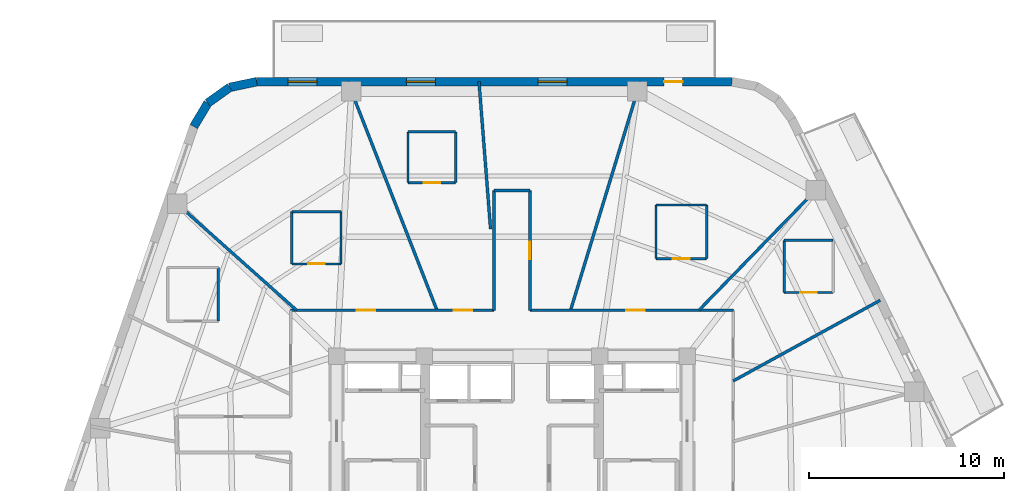
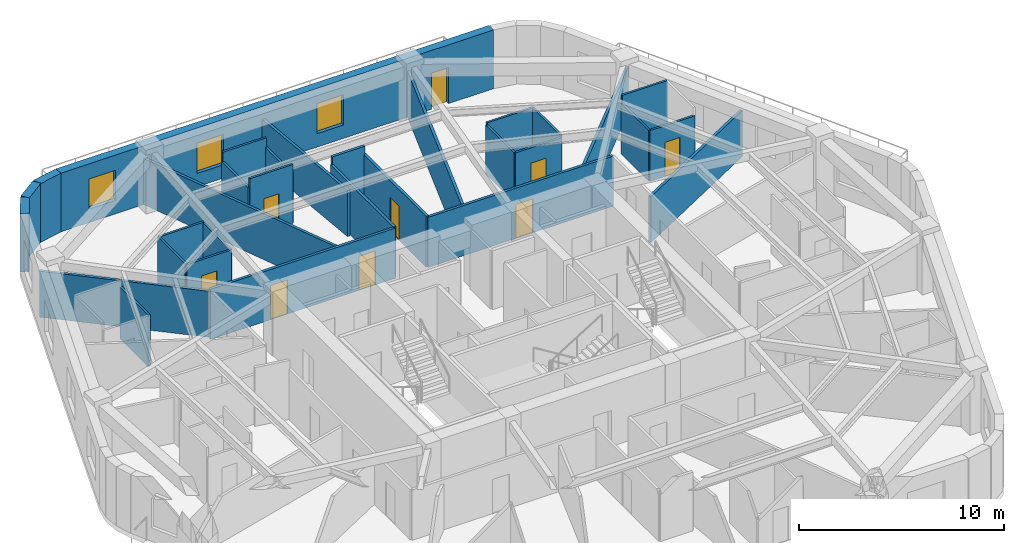
# One storey, part 6 of 10: 31 walls, 9 doors, 3 windows, 12 openings.
"""IFC4 building model written with IfcOpenShell, lengths in metres."""

import ifcopenshell
import ifcopenshell.guid

model = None  # the IFC model being written
_history = None  # IfcOwnerHistory: only IFC2X3 demands one
_inside = {}  # id of a spatial element -> (the spatial element, [elements in it])
_under = {}  # id of a project, library or spatial element -> (it, [spatial elements below it])
_declared = {}  # id of a project -> (the project, [libraries it declares])
_typed = {}  # id of a type object -> (the type object, [elements of that type])
_made_of = {}  # id of a material, layer set ... -> (it, [elements and type objects made of it])


def new_model(schema):
    """Start an empty IFC model of exactly this schema.

    Asked for "IFC4X3", IfcOpenShell would pick the latest addendum, in which some entities
    have other attributes; the version numbers below select the first issue.
    IFC2X3 requires an IfcOwnerHistory on every rooted entity: one is made here for all.
    """
    global model, _history
    if schema == "IFC4X3":
        model = ifcopenshell.file(schema_version=(4, 3, 0, 0))
    else:
        model = ifcopenshell.file(schema=schema)
    _inside.clear()
    _under.clear()
    _declared.clear()
    _typed.clear()
    _made_of.clear()
    _history = None
    if model.schema == "IFC2X3":
        org = make("IfcOrganization", Name="unknown")
        user = make(
            "IfcPersonAndOrganization",
            ThePerson=make("IfcPerson", FamilyName="unknown"),
            TheOrganization=org,
        )
        app = make(
            "IfcApplication",
            ApplicationDeveloper=org,
            Version="unknown",
            ApplicationFullName="unknown",
            ApplicationIdentifier="unknown",
        )
        _history = make(
            "IfcOwnerHistory",
            OwningUser=user,
            OwningApplication=app,
            ChangeAction="ADDED",
            CreationDate=0,
        )
    return model


def make(cls, **values):
    """One entity of the class cls with the attributes given. An attribute that is None is left unset."""
    return model.create_entity(
        cls, **{name: value for name, value in values.items() if value is not None}
    )


def rooted(cls, **values):
    """An entity with a GlobalId (a new one), such as an element, a storey or a relation."""
    return make(cls, GlobalId=ifcopenshell.guid.new(), OwnerHistory=_history, **values)


def si_unit(unit_type, name, prefix=None):
    """IfcSIUnit, for example si_unit("LENGTHUNIT", "METRE", prefix="MILLI")."""
    return make("IfcSIUnit", UnitType=unit_type, Prefix=prefix, Name=name)


def assignment(units):
    """IfcUnitAssignment: the units of a project."""
    return None if units is None else make("IfcUnitAssignment", Units=units)


def point(xyz):
    """IfcCartesianPoint."""
    return None if xyz is None else make("IfcCartesianPoint", Coordinates=xyz)


def direction(xyz):
    """IfcDirection."""
    return None if xyz is None else make("IfcDirection", DirectionRatios=xyz)


def frame(location, z_axis=None, x_axis=None):
    """IfcAxis2Placement3D, a coordinate frame: its origin and axes. An axis left out is left unset."""
    return make(
        "IfcAxis2Placement3D",
        Location=point(location),
        Axis=direction(z_axis),
        RefDirection=direction(x_axis),
    )


def frame_2d(location, x_axis=None):
    """IfcAxis2Placement2D, a coordinate frame in the plane: its origin and x axis."""
    return make(
        "IfcAxis2Placement2D", Location=point(location), RefDirection=direction(x_axis)
    )


def origin():
    """The frame at (0, 0, 0) with its axes left unset."""
    return frame((0.0, 0.0, 0.0))


def place(relative_to, where):
    """IfcLocalPlacement: puts the frame where relative to a parent placement (None: the world)."""
    return make(
        "IfcLocalPlacement", PlacementRelTo=relative_to, RelativePlacement=where
    )


def context(
    kind, dimensions, precision=None, world=None, true_north=None, identifier=None
):
    """IfcGeometricRepresentationContext, for example the 3D "Model" context."""
    return make(
        "IfcGeometricRepresentationContext",
        ContextIdentifier=identifier,
        ContextType=kind,
        CoordinateSpaceDimension=dimensions,
        Precision=precision,
        WorldCoordinateSystem=world,
        TrueNorth=true_north,
    )


def subcontext(parent, identifier, kind, view, scale=None):
    """IfcGeometricRepresentationSubContext, for example "Body" below "Model"."""
    return make(
        "IfcGeometricRepresentationSubContext",
        ContextIdentifier=identifier,
        ContextType=kind,
        ParentContext=parent,
        TargetScale=scale,
        TargetView=view,
    )


def project(units=None, contexts=None):
    """IfcProject with its units and contexts."""
    return rooted(
        "IfcProject",
        Name="project",
        RepresentationContexts=contexts,
        UnitsInContext=assignment(units),
    )


def spatial(cls, under=None, at=None, **own):
    """A site, building, storey or space (cls), placed at a placement, below another one or the project."""
    s = rooted(cls, ObjectPlacement=at, **own)
    if under is not None:
        _under.setdefault(under.id(), (under, []))[1].append(s)
    return s


def profile(cls, at=None, kind="AREA", **sizes):
    """A parametric profile (cls). Its sizes go by their IFC names, for example OverallWidth=200.0."""
    return make(cls, ProfileType=kind, Position=at, **sizes)


def rectangle(**sizes):
    """IfcRectangleProfileDef."""
    return profile("IfcRectangleProfileDef", **sizes)


def extrude(swept, where, along, depth):
    """IfcExtrudedAreaSolid: the profile swept, set in the frame where, extruded along a direction by depth."""
    return make(
        "IfcExtrudedAreaSolid",
        SweptArea=swept,
        Position=where,
        ExtrudedDirection=direction(along),
        Depth=depth,
    )


def shape(context_of_items, identifier, shape_type, items):
    """IfcShapeRepresentation: the items that make up one representation, for example the "Body"."""
    return make(
        "IfcShapeRepresentation",
        ContextOfItems=context_of_items,
        RepresentationIdentifier=identifier,
        RepresentationType=shape_type,
        Items=items,
    )


def material(Name=None, Category=None):
    """IfcMaterial."""
    return make("IfcMaterial", Name=Name, Category=Category)


def layer(
    of_material, thickness, ventilated=None, Name=None, Category=None, Priority=None
):
    """IfcMaterialLayer: one layer of a wall or slab, of a material (None: an air gap)."""
    return make(
        "IfcMaterialLayer",
        Material=of_material,
        LayerThickness=thickness,
        IsVentilated=ventilated,
        Name=Name,
        Category=Category,
        Priority=Priority,
    )


def layer_set(layers, Name=None):
    """IfcMaterialLayerSet."""
    return make("IfcMaterialLayerSet", MaterialLayers=layers, LayerSetName=Name)


def made_of(thing, what):
    """Note that an element or type object is made of a material, layer set ...; save() writes the relation."""
    if what is not None:
        _made_of.setdefault(what.id(), (what, []))[1].append(thing)
    return thing


def type_object(cls, material=None, **own):
    """A type object (cls), such as IfcWallType, which elements share."""
    return made_of(rooted(cls, **own), material)


def element(
    cls,
    number,
    at=None,
    inside=None,
    cuts=None,
    type_object=None,
    material=None,
    context=None,
    identifier="Body",
    shape_type=None,
    held_by="IfcProductDefinitionShape",
    body=None,
    shapes=None,
    **own,
):
    """One element of the class cls, such as IfcWall. Its Tag is "e" and its number.

    at: its placement. inside: the storey or other place that contains it. cuts: it is an
    opening in that element (IfcRelVoidsElement). A single representation is given by context,
    identifier, shape_type and body (its items); several are given by shapes. held_by: the class
    of the entity that holds the representations. save() writes the other relations.
    """
    e = rooted(cls, Tag="e%d" % number, ObjectPlacement=at, **own)
    if body is not None:
        shapes = [shape(context, identifier, shape_type, body)]
    if shapes is not None:
        e.Representation = make(held_by, Representations=shapes)
    if inside is not None:
        _inside.setdefault(inside.id(), (inside, []))[1].append(e)
    if cuts is not None:
        rooted(
            "IfcRelVoidsElement", RelatingBuildingElement=cuts, RelatedOpeningElement=e
        )
    if type_object is not None:
        _typed.setdefault(type_object.id(), (type_object, []))[1].append(e)
    return made_of(e, material)


def fill(opening, filler):
    """IfcRelFillsElement: the door or window that sits in an opening."""
    return rooted(
        "IfcRelFillsElement",
        RelatingOpeningElement=opening,
        RelatedBuildingElement=filler,
    )


def aggregate(whole, parts):
    """IfcRelAggregates: a whole, such as a stair, and the parts it consists of."""
    return rooted("IfcRelAggregates", RelatingObject=whole, RelatedObjects=parts)


def save(model, path):
    """Write the relations noted so far, then the file.

    IfcRelAggregates (storeys below a building ...), IfcRelContainedInSpatialStructure (elements
    in a storey), IfcRelDefinesByType, IfcRelAssociatesMaterial and IfcRelDeclares: one each for
    every whole, place, type object, material and project.
    """
    for whole, parts in _under.values():
        aggregate(whole, parts)
    for where, things in _inside.values():
        rooted(
            "IfcRelContainedInSpatialStructure",
            RelatedElements=things,
            RelatingStructure=where,
        )
    for kind, things in _typed.values():
        rooted("IfcRelDefinesByType", RelatedObjects=things, RelatingType=kind)
    for what, things in _made_of.values():
        rooted("IfcRelAssociatesMaterial", RelatedObjects=things, RelatingMaterial=what)
    for by, libraries in _declared.values():
        rooted("IfcRelDeclares", RelatingContext=by, RelatedDefinitions=libraries)
    model.write(path)


model = new_model("IFC4")

# Units and contexts
model_context = context("Model", 3, precision=1e-05, world=origin(), true_north=direction((0.0, 1.0)))
body_context = subcontext(model_context, "Body", "Model", "MODEL_VIEW")
ifc_project = project(units=[si_unit("LENGTHUNIT", "METRE"), si_unit("AREAUNIT", "SQUARE_METRE"), si_unit("VOLUMEUNIT", "CUBIC_METRE"), si_unit("PLANEANGLEUNIT", "RADIAN"), si_unit("MASSUNIT", "GRAM", prefix="KILO")], contexts=[model_context])

# Site, building, storey
site_placement = place(None, origin())
site = spatial("IfcSite", under=ifc_project, at=site_placement, CompositionType="ELEMENT")
building_placement = place(site_placement, origin())
building = spatial("IfcBuilding", under=site, at=building_placement, Name="Kilnhurst Terrace Hotel", CompositionType="ELEMENT")
storey_placement = place(building_placement, frame((0.0, 0.0, 248.300048828125)))
storey = spatial("IfcBuildingStorey", under=building, at=storey_placement, Name="L62", CompositionType="ELEMENT", Elevation=248.300048828125)

# Walls
ifc_material_1 = material(Name="Precast concrete C40/50", Category="concrete")
ifc_layer_1 = layer(ifc_material_1, 0.449951171875, Name="Precast concrete C40/50")
ifc_layer_set_1 = layer_set([ifc_layer_1], Name="Precast concrete C40/50")
wall_type_1 = type_object("IfcWallType", Name="WL-BRK-450", PredefinedType="SOLIDWALL", material=ifc_layer_set_1)
wall_1_placement = place(storey_placement, frame((-13.1015625, 21.574951171875, 0.0), z_axis=(0.0, 0.0, 1.0), x_axis=(-0.978757421505, -0.205021730188, 0.0)))
element("IfcWall", 1, at=wall_1_placement, inside=storey, type_object=wall_type_1, Name="L62 Rounded Corner Brick Wall C5.1", PredefinedType="SOLIDWALL", context=body_context, shape_type="SweptSolid", body=[
    extrude(rectangle(XDim=1.40625, YDim=0.449951171875, at=frame_2d((0.703125, 0.0))), origin(), (0.0, 0.0, 1.0), 3.5),
])
wall_2_placement = place(storey_placement, frame((-14.47802734375, 21.28662109375, 0.0), z_axis=(0.0, 0.0, 1.0), x_axis=(-0.813888518617, -0.58102106611, 0.0)))
element("IfcWall", 2, at=wall_2_placement, inside=storey, type_object=wall_type_1, Name="L62 Rounded Corner Brick Wall C5.2", PredefinedType="SOLIDWALL", context=body_context, shape_type="SweptSolid", body=[
    extrude(rectangle(XDim=1.3828125, YDim=0.449951171875, at=frame_2d((0.69140625, 0.0))), origin(), (0.0, 0.0, 1.0), 3.5),
])
wall_3_placement = place(storey_placement, frame((-15.603515625, 20.483154296875, 0.0), z_axis=(0.0, 0.0, 1.0), x_axis=(-0.512222149036, -0.858852996756, 0.0)))
element("IfcWall", 3, at=wall_3_placement, inside=storey, type_object=wall_type_1, Name="L62 Rounded Corner Brick Wall C5.3", PredefinedType="SOLIDWALL", context=body_context, shape_type="SweptSolid", body=[
    extrude(rectangle(XDim=1.406494140625, YDim=0.449951171875, at=frame_2d((0.703125, 0.0))), origin(), (0.0, 0.0, 1.0), 3.5),
])

# Wall, openings, door, windows
wall_4_placement = place(storey_placement, frame((11.297607421875, 21.574951171875, 0.0), z_axis=(0.0, 0.0, 1.0), x_axis=(-1.0, 0.0, 0.0)))
wall_4 = element("IfcWall", 4, at=wall_4_placement, inside=storey, type_object=wall_type_1, Name="L62 Exterior Brick Facade Wall F4", PredefinedType="SOLIDWALL", context=body_context, shape_type="SweptSolid", body=[
    extrude(rectangle(XDim=24.399169921875, YDim=0.449951171875, at=frame_2d((12.19970703125, 0.0))), origin(), (0.0, 0.0, 1.0), 3.5),
])
opening_1_placement = place(wall_4_placement, frame((2.550048828125, 0.0, 0.0)))
opening_1 = element("IfcOpeningElement", 5, at=opening_1_placement, cuts=wall_4, Name="Opening BD-950", PredefinedType="OPENING", context=body_context, shape_type="SweptSolid", body=[
    extrude(rectangle(XDim=0.949951171875, YDim=2.14990234375, at=frame_2d((0.47509765625, 1.074951171875))), frame((0.0, 0.23486328125, 0.0), z_axis=(0.0, -1.0, 0.0), x_axis=(1.0, 0.0, 0.0)), (0.0, 0.0, 1.0), 0.469970703125),
])
opening_2_placement = place(wall_4_placement, frame((8.468994140625, 0.0, 0.800048828125)))
opening_2 = element("IfcOpeningElement", 6, at=opening_2_placement, cuts=wall_4, Name="Opening W-02", PredefinedType="OPENING", context=body_context, shape_type="SweptSolid", body=[
    extrude(rectangle(XDim=1.5, YDim=1.800048828125, at=frame_2d((0.75, 0.89990234375))), frame((0.0, 0.23486328125, 0.0), z_axis=(0.0, -1.0, 0.0), x_axis=(1.0, 0.0, 0.0)), (0.0, 0.0, 1.0), 0.469970703125),
])
opening_3_placement = place(wall_4_placement, frame((15.221923828125, 0.0, 0.800048828125)))
opening_3 = element("IfcOpeningElement", 7, at=opening_3_placement, cuts=wall_4, Name="Opening W-02", PredefinedType="OPENING", context=body_context, shape_type="SweptSolid", body=[
    extrude(rectangle(XDim=1.5, YDim=1.800048828125, at=frame_2d((0.75, 0.89990234375))), frame((0.0, 0.23486328125, 0.0), z_axis=(0.0, -1.0, 0.0), x_axis=(1.0, 0.0, 0.0)), (0.0, 0.0, 1.0), 0.469970703125),
])
opening_4_placement = place(wall_4_placement, frame((21.2958984375, 0.0, 0.800048828125)))
opening_4 = element("IfcOpeningElement", 8, at=opening_4_placement, cuts=wall_4, Name="Opening W-02", PredefinedType="OPENING", context=body_context, shape_type="SweptSolid", body=[
    extrude(rectangle(XDim=1.5, YDim=1.800048828125, at=frame_2d((0.75, 0.89990234375))), frame((0.0, 0.23486328125, 0.0), z_axis=(0.0, -1.0, 0.0), x_axis=(1.0, 0.0, 0.0)), (0.0, 0.0, 1.0), 0.469970703125),
])
ifc_material_2 = material(Name="Thermally Broken Bronze Aluminium Alloy 6063-T6 and Laminated Glass", Category="aluminium")
door_type_1 = type_object("IfcDoorType", Name="DR-EXT-BAL-950", OperationType="NOTDEFINED", PredefinedType="DOOR", material=ifc_material_2)
door_1_placement = place(opening_1_placement, origin())
door_1 = element("IfcDoor", 9, at=door_1_placement, inside=storey, type_object=door_type_1, Name="L62 Planted Balcony Door BAL-L1B", OperationType="SINGLE_SWING_RIGHT", OverallHeight=2.14990234375, OverallWidth=0.949951171875, PredefinedType="DOOR", context=body_context, shape_type="SweptSolid", body=[
    extrude(rectangle(XDim=0.949951171875, YDim=2.14990234375, at=frame_2d((0.47509765625, 1.074951171875))), frame((0.0, 0.02490234375, 0.0), z_axis=(0.0, -1.0, 0.0), x_axis=(1.0, 0.0, 0.0)), (0.0, 0.0, 1.0), 0.050048828125),
])
fill(opening_1, door_1)
ifc_material_3 = material(Name="Thermally Broken Bronze Aluminium Alloy 6063-T6 and Low-E Glass", Category="aluminium")
window_type = type_object("IfcWindowType", Name="WIN-1500X1800", PartitioningType="SINGLE_PANEL", PredefinedType="WINDOW", material=ifc_material_3)
window_1_placement = place(opening_2_placement, origin())
window_1 = element("IfcWindow", 10, at=window_1_placement, inside=storey, type_object=window_type, Name="L62 Deep-Set Masonry Window F4.1", OverallHeight=1.800048828125, OverallWidth=1.5, PartitioningType="SINGLE_PANEL", PredefinedType="WINDOW", context=body_context, shape_type="SweptSolid", body=[
    extrude(rectangle(XDim=1.5, YDim=1.800048828125, at=frame_2d((0.75, 0.89990234375))), frame((0.0, 0.030029296875, 0.0), z_axis=(0.0, -1.0, 0.0), x_axis=(1.0, 0.0, 0.0)), (0.0, 0.0, 1.0), 0.06005859375),
])
fill(opening_2, window_1)
window_2_placement = place(opening_3_placement, origin())
window_2 = element("IfcWindow", 11, at=window_2_placement, inside=storey, type_object=window_type, Name="L62 Deep-Set Masonry Window F4.2", OverallHeight=1.800048828125, OverallWidth=1.5, PartitioningType="SINGLE_PANEL", PredefinedType="WINDOW", context=body_context, shape_type="SweptSolid", body=[
    extrude(rectangle(XDim=1.5, YDim=1.800048828125, at=frame_2d((0.75, 0.89990234375))), frame((0.0, 0.030029296875, 0.0), z_axis=(0.0, -1.0, 0.0), x_axis=(1.0, 0.0, 0.0)), (0.0, 0.0, 1.0), 0.06005859375),
])
fill(opening_3, window_2)
window_3_placement = place(opening_4_placement, origin())
window_3 = element("IfcWindow", 12, at=window_3_placement, inside=storey, type_object=window_type, Name="L62 Deep-Set Masonry Window F4.3", OverallHeight=1.800048828125, OverallWidth=1.5, PartitioningType="SINGLE_PANEL", PredefinedType="WINDOW", context=body_context, shape_type="SweptSolid", body=[
    extrude(rectangle(XDim=1.5, YDim=1.800048828125, at=frame_2d((0.75, 0.89990234375))), frame((0.0, 0.030029296875, 0.0), z_axis=(0.0, -1.0, 0.0), x_axis=(1.0, 0.0, 0.0)), (0.0, 0.0, 1.0), 0.06005859375),
])
fill(opening_4, window_3)

# Wall, openings, doors
ifc_material_4 = material(Name="Acoustic Double-Gypsum Corridor Partition Assembly")
ifc_layer_2 = layer(ifc_material_4, 0.14990234375, Name="Acoustic Double-Gypsum Corridor Partition Assembly")
ifc_layer_set_2 = layer_set([ifc_layer_2], Name="Acoustic Double-Gypsum Corridor Partition Assembly")
wall_type_2 = type_object("IfcWallType", Name="WL-COR-150", PredefinedType="PARTITIONING", material=ifc_layer_set_2)
wall_5_placement = place(storey_placement, frame((-11.35009765625, 9.85009765625, 0.0), z_axis=(0.0, 0.0, 1.0), x_axis=(1.0, 0.0, 0.0)))
wall_5 = element("IfcWall", 13, at=wall_5_placement, inside=storey, type_object=wall_type_2, Name="L62 Interior Wall WL-L62-COR-06", PredefinedType="PARTITIONING", context=body_context, shape_type="SweptSolid", body=[
    extrude(rectangle(XDim=10.43017578125, YDim=0.14990234375, at=frame_2d((5.215087890625, 0.0))), origin(), (0.0, 0.0, 1.0), 2.989990234375),
])
opening_5_placement = place(wall_5_placement, frame((8.362060546875, 0.0, 0.0)))
opening_5 = element("IfcOpeningElement", 14, at=opening_5_placement, cuts=wall_5, Name="Opening D-60B", PredefinedType="OPENING", context=body_context, shape_type="SweptSolid", body=[
    extrude(rectangle(XDim=0.949951171875, YDim=2.030029296875, at=frame_2d((0.47509765625, 1.01513671875))), frame((0.0, 0.0849609375, 0.0), z_axis=(0.0, -1.0, 0.0), x_axis=(1.0, 0.0, 0.0)), (0.0, 0.0, 1.0), 0.169921875),
])
opening_6_placement = place(wall_5_placement, frame((3.39599609375, 0.0, 0.0)))
opening_6 = element("IfcOpeningElement", 15, at=opening_6_placement, cuts=wall_5, Name="Opening D-60B", PredefinedType="OPENING", context=body_context, shape_type="SweptSolid", body=[
    extrude(rectangle(XDim=0.949951171875, YDim=2.030029296875, at=frame_2d((0.47509765625, 1.01513671875))), frame((0.0, 0.0849609375, 0.0), z_axis=(0.0, -1.0, 0.0), x_axis=(1.0, 0.0, 0.0)), (0.0, 0.0, 1.0), 0.169921875),
])
ifc_material_5 = material(Name="Acoustic Walnut Veneer Solid-Core Fire Door")
door_type_2 = type_object("IfcDoorType", Name="DR-FD60-950", OperationType="NOTDEFINED", PredefinedType="DOOR", material=ifc_material_5)
door_2_placement = place(opening_5_placement, origin())
door_2 = element("IfcDoor", 16, at=door_2_placement, inside=storey, type_object=door_type_2, Name="L62 Guest Room Entry Door 5", OperationType="SINGLE_SWING_LEFT", OverallHeight=2.030029296875, OverallWidth=0.949951171875, PredefinedType="DOOR", context=body_context, shape_type="SweptSolid", body=[
    extrude(rectangle(XDim=0.949951171875, YDim=2.030029296875, at=frame_2d((0.47509765625, 1.01513671875))), frame((0.0, 0.02490234375, 0.0), z_axis=(0.0, -1.0, 0.0), x_axis=(1.0, 0.0, 0.0)), (0.0, 0.0, 1.0), 0.050048828125),
])
fill(opening_5, door_2)
door_3_placement = place(opening_6_placement, origin())
door_3 = element("IfcDoor", 17, at=door_3_placement, inside=storey, type_object=door_type_2, Name="L62 Executive Suite Entry Door 6", OperationType="SINGLE_SWING_RIGHT", OverallHeight=2.030029296875, OverallWidth=0.949951171875, PredefinedType="DOOR", context=body_context, shape_type="SweptSolid", body=[
    extrude(rectangle(XDim=0.949951171875, YDim=2.030029296875, at=frame_2d((0.47509765625, 1.01513671875))), frame((0.0, 0.02490234375, 0.0), z_axis=(0.0, -1.0, 0.0), x_axis=(1.0, 0.0, 0.0)), (0.0, 0.0, 1.0), 0.050048828125),
])
fill(opening_6, door_3)

# Walls
wall_6_placement = place(storey_placement, frame((-0.919921875, 9.85009765625, 0.0), z_axis=(0.0, 0.0, 1.0), x_axis=(0.0, 1.0, 0.0)))
element("IfcWall", 18, at=wall_6_placement, inside=storey, type_object=wall_type_2, Name="L62 Interior Wall WL-L62-COR-07", PredefinedType="PARTITIONING", context=body_context, shape_type="SweptSolid", body=[
    extrude(rectangle(XDim=6.14990234375, YDim=0.14990234375, at=frame_2d((3.074951171875, 0.0))), origin(), (0.0, 0.0, 1.0), 3.0263671875),
])
wall_7_placement = place(storey_placement, frame((-0.919921875, 16.0, 0.0), z_axis=(0.0, 0.0, 1.0), x_axis=(1.0, 0.0, 0.0)))
element("IfcWall", 19, at=wall_7_placement, inside=storey, type_object=wall_type_2, Name="L62 Interior Wall WL-L62-COR-08", PredefinedType="PARTITIONING", context=body_context, shape_type="SweptSolid", body=[
    extrude(rectangle(XDim=1.83984375, YDim=0.14990234375, at=frame_2d((0.919921875, 0.0))), origin(), (0.0, 0.0, 1.0), 3.5),
])

# Wall, opening, door
wall_8_placement = place(storey_placement, frame((0.919921875, 16.0, 0.0), z_axis=(0.0, 0.0, 1.0), x_axis=(0.0, -1.0, 0.0)))
wall_8 = element("IfcWall", 20, at=wall_8_placement, inside=storey, type_object=wall_type_2, Name="L62 Interior Wall WL-L62-COR-09", PredefinedType="PARTITIONING", context=body_context, shape_type="SweptSolid", body=[
    extrude(rectangle(XDim=6.14990234375, YDim=0.14990234375, at=frame_2d((3.074951171875, 0.0))), origin(), (0.0, 0.0, 1.0), 3.0263671875),
])
opening_7_placement = place(wall_8_placement, frame((2.625, 0.0, 0.0)))
opening_7 = element("IfcOpeningElement", 21, at=opening_7_placement, cuts=wall_8, Name="Opening D-60C", PredefinedType="OPENING", context=body_context, shape_type="SweptSolid", body=[
    extrude(rectangle(XDim=0.89990234375, YDim=2.030029296875, at=frame_2d((0.449951171875, 1.01513671875))), frame((0.0, 0.0849609375, 0.0), z_axis=(0.0, -1.0, 0.0), x_axis=(1.0, 0.0, 0.0)), (0.0, 0.0, 1.0), 0.169921875),
])
ifc_material_6 = material(Name="Painted Solid-Core Service Fire Door")
door_type_3 = type_object("IfcDoorType", Name="DR-FD60-900", OperationType="NOTDEFINED", PredefinedType="DOOR", material=ifc_material_6)
door_4_placement = place(opening_7_placement, origin())
door_4 = element("IfcDoor", 22, at=door_4_placement, inside=storey, type_object=door_type_3, Name="L62 Executive Work Office Door 4", OperationType="SINGLE_SWING_RIGHT", OverallHeight=2.030029296875, OverallWidth=0.89990234375, PredefinedType="DOOR", context=body_context, shape_type="SweptSolid", body=[
    extrude(rectangle(XDim=0.89990234375, YDim=2.030029296875, at=frame_2d((0.449951171875, 1.01513671875))), frame((0.0, 0.02490234375, 0.0), z_axis=(0.0, -1.0, 0.0), x_axis=(1.0, 0.0, 0.0)), (0.0, 0.0, 1.0), 0.050048828125),
])
fill(opening_7, door_4)

wall_9_placement = place(storey_placement, frame((0.919921875, 9.85009765625, 0.0), z_axis=(0.0, 0.0, 1.0), x_axis=(1.0, 0.0, 0.0)))
wall_9 = element("IfcWall", 23, at=wall_9_placement, inside=storey, type_object=wall_type_2, Name="L62 Interior Wall WL-L62-COR-10", PredefinedType="PARTITIONING", context=body_context, shape_type="SweptSolid", body=[
    extrude(rectangle(XDim=10.43017578125, YDim=0.14990234375, at=frame_2d((5.215087890625, 0.0))), origin(), (0.0, 0.0, 1.0), 2.989990234375),
])
opening_8_placement = place(wall_9_placement, frame((4.948974609375, 0.0, 0.0)))
opening_8 = element("IfcOpeningElement", 24, at=opening_8_placement, cuts=wall_9, Name="Opening D-60B", PredefinedType="OPENING", context=body_context, shape_type="SweptSolid", body=[
    extrude(rectangle(XDim=0.949951171875, YDim=2.030029296875, at=frame_2d((0.47509765625, 1.01513671875))), frame((0.0, 0.0849609375, 0.0), z_axis=(0.0, -1.0, 0.0), x_axis=(1.0, 0.0, 0.0)), (0.0, 0.0, 1.0), 0.169921875),
])
door_5_placement = place(opening_8_placement, origin())
door_5 = element("IfcDoor", 25, at=door_5_placement, inside=storey, type_object=door_type_2, Name="L62 Executive Suite Entry Door 3", OperationType="SINGLE_SWING_LEFT", OverallHeight=2.030029296875, OverallWidth=0.949951171875, PredefinedType="DOOR", context=body_context, shape_type="SweptSolid", body=[
    extrude(rectangle(XDim=0.949951171875, YDim=2.030029296875, at=frame_2d((0.47509765625, 1.01513671875))), frame((0.0, 0.02490234375, 0.0), z_axis=(0.0, -1.0, 0.0), x_axis=(1.0, 0.0, 0.0)), (0.0, 0.0, 1.0), 0.050048828125),
])
fill(opening_8, door_5)

# Walls
ifc_material_7 = material(Name="STC-58 Acoustic Twin-Frame Guestroom Demising Partition")
ifc_layer_3 = layer(ifc_material_7, 0.14990234375, Name="STC-58 Acoustic Twin-Frame Guestroom Demising Partition")
ifc_layer_set_3 = layer_set([ifc_layer_3], Name="STC-58 Acoustic Twin-Frame Guestroom Demising Partition")
wall_type_3 = type_object("IfcWallType", Name="WL-DEM-150", PredefinedType="PARTITIONING", material=ifc_layer_set_3)
wall_10_placement = place(storey_placement, frame((11.35009765625, 6.2265625, 0.0), z_axis=(0.0, 0.0, 1.0), x_axis=(0.876723190824, 0.480995266786, 0.0)))
element("IfcWall", 26, at=wall_10_placement, inside=storey, type_object=wall_type_3, Name="L62 Interior Wall WL-L62-DEM-MID01-02-1", PredefinedType="PARTITIONING", context=body_context, shape_type="SweptSolid", body=[
    extrude(rectangle(XDim=8.598388671875, YDim=0.14990234375, at=frame_2d((4.29931640625, 0.0))), origin(), (0.0, 0.0, 1.0), 2.739990234375),
])
wall_11_placement = place(storey_placement, frame((9.587890625, 9.85009765625, 0.0), z_axis=(0.0, 0.0, 1.0), x_axis=(0.697519469595, 0.716565830567, 0.0)))
element("IfcWall", 27, at=wall_11_placement, inside=storey, type_object=wall_type_3, Name="L62 Interior Wall WL-L62-DEM-COL02-03-1", PredefinedType="PARTITIONING", context=body_context, shape_type="SweptSolid", body=[
    extrude(rectangle(XDim=9.12646484375, YDim=0.14990234375, at=frame_2d((4.563232421875, 0.0))), origin(), (0.0, 0.0, 1.0), 2.739990234375),
])
wall_12_placement = place(storey_placement, frame((3.00439453125, 9.85009765625, 0.0), z_axis=(0.0, 0.0, 1.0), x_axis=(0.291775760688, 0.956486751333, 0.0)))
element("IfcWall", 28, at=wall_12_placement, inside=storey, type_object=wall_type_3, Name="L62 Interior Wall WL-L62-DEM-COL03-04-1", PredefinedType="PARTITIONING", context=body_context, shape_type="SweptSolid", body=[
    extrude(rectangle(XDim=12.25830078125, YDim=0.14990234375, at=frame_2d((6.129150390625, 0.0))), origin(), (0.0, 0.0, 1.0), 2.739990234375),
])
wall_13_placement = place(storey_placement, frame((-1.10009765625, 14.017578125, 0.0), z_axis=(0.0, 0.0, 1.0), x_axis=(-0.078228275349, 0.996935472804, 0.0)))
element("IfcWall", 29, at=wall_13_placement, inside=storey, type_object=wall_type_3, Name="L62 Interior Wall WL-L62-DEM-MID03-05-1", PredefinedType="PARTITIONING", context=body_context, shape_type="SweptSolid", body=[
    extrude(rectangle(XDim=7.58056640625, YDim=0.14990234375, at=frame_2d((3.790283203125, 0.0))), origin(), (0.0, 0.0, 1.0), 2.739990234375),
])
wall_14_placement = place(storey_placement, frame((-3.848388671875, 9.85009765625, 0.0), z_axis=(0.0, 0.0, 1.0), x_axis=(-0.363921778212, 0.931429513889, 0.0)))
element("IfcWall", 30, at=wall_14_placement, inside=storey, type_object=wall_type_3, Name="L62 Interior Wall WL-L62-DEM-COL04-06-1", PredefinedType="PARTITIONING", context=body_context, shape_type="SweptSolid", body=[
    extrude(rectangle(XDim=12.588134765625, YDim=0.14990234375, at=frame_2d((6.2939453125, 0.0))), origin(), (0.0, 0.0, 1.0), 2.739990234375),
])
wall_15_placement = place(storey_placement, frame((-11.04833984375, 9.85009765625, 0.0), z_axis=(0.0, 0.0, 1.0), x_axis=(-0.746444434655, 0.665447748492, 0.0)))
element("IfcWall", 31, at=wall_15_placement, inside=storey, type_object=wall_type_3, Name="L62 Interior Wall WL-L62-DEM-COL05-07-1", PredefinedType="PARTITIONING", context=body_context, shape_type="SweptSolid", body=[
    extrude(rectangle(XDim=8.732177734375, YDim=0.14990234375, at=frame_2d((4.3662109375, 0.0))), origin(), (0.0, 0.0, 1.0), 2.739990234375),
])

# Wall, opening, door
ifc_material_8 = material(Name="120 mm Moisture-Resistant Tile-Backed Bathroom Partition")
ifc_layer_4 = layer(ifc_material_8, 0.1201171875, Name="120 mm Moisture-Resistant Tile-Backed Bathroom Partition")
ifc_layer_set_4 = layer_set([ifc_layer_4], Name="120 mm Moisture-Resistant Tile-Backed Bathroom Partition")
wall_type_4 = type_object("IfcWallType", Name="WL-PART-120", PredefinedType="PARTITIONING", material=ifc_layer_set_4)
wall_16_placement = place(storey_placement, frame((13.9580078125, 10.761962890625, 0.0), z_axis=(0.0, 0.0, 1.0), x_axis=(1.0, 0.0, 0.0)))
wall_16 = element("IfcWall", 32, at=wall_16_placement, inside=storey, type_object=wall_type_4, Name="L62 Interior Wall WL-L62-BTH-02-1", PredefinedType="PARTITIONING", context=body_context, shape_type="SweptSolid", body=[
    extrude(rectangle(XDim=2.52001953125, YDim=0.1201171875, at=frame_2d((1.260009765625, 0.0))), origin(), (0.0, 0.0, 1.0), 3.0263671875),
])
opening_9_placement = place(wall_16_placement, frame((0.8349609375, 0.0, 0.0)))
opening_9 = element("IfcOpeningElement", 33, at=opening_9_placement, cuts=wall_16, Name="Opening D-08A", PredefinedType="OPENING", context=body_context, shape_type="SweptSolid", body=[
    extrude(rectangle(XDim=0.85009765625, YDim=2.030029296875, at=frame_2d((0.425048828125, 1.01513671875))), frame((0.0, 0.070068359375, 0.0), z_axis=(0.0, -1.0, 0.0), x_axis=(1.0, 0.0, 0.0)), (0.0, 0.0, 1.0), 0.14013671875),
])
ifc_material_9 = material(Name="Moisture-Resistant Lacquered En-suite Bathroom Door")
door_type_4 = type_object("IfcDoorType", Name="DR-INT-850", OperationType="NOTDEFINED", PredefinedType="DOOR", material=ifc_material_9)
door_6_placement = place(opening_9_placement, origin())
door_6 = element("IfcDoor", 34, at=door_6_placement, inside=storey, type_object=door_type_4, Name="L62 En-suite Bathroom Door 2", OperationType="SINGLE_SWING_LEFT", OverallHeight=2.030029296875, OverallWidth=0.85009765625, PredefinedType="DOOR", context=body_context, shape_type="SweptSolid", body=[
    extrude(rectangle(XDim=0.85009765625, YDim=2.030029296875, at=frame_2d((0.425048828125, 1.01513671875))), frame((0.0, 0.02490234375, 0.0), z_axis=(0.0, -1.0, 0.0), x_axis=(1.0, 0.0, 0.0)), (0.0, 0.0, 1.0), 0.050048828125),
])
fill(opening_9, door_6)

# Walls
wall_17_placement = place(storey_placement, frame((16.47802734375, 13.44189453125, 0.0), z_axis=(0.0, 0.0, 1.0), x_axis=(-1.0, 0.0, 0.0)))
element("IfcWall", 35, at=wall_17_placement, inside=storey, type_object=wall_type_4, Name="L62 Interior Wall WL-L62-BTH-02-3", PredefinedType="PARTITIONING", context=body_context, shape_type="SweptSolid", body=[
    extrude(rectangle(XDim=2.52001953125, YDim=0.1201171875, at=frame_2d((1.260009765625, 0.0))), origin(), (0.0, 0.0, 1.0), 3.5),
])
wall_18_placement = place(storey_placement, frame((13.9580078125, 13.44189453125, 0.0), z_axis=(0.0, 0.0, 1.0), x_axis=(0.0, -1.0, 0.0)))
element("IfcWall", 36, at=wall_18_placement, inside=storey, type_object=wall_type_4, Name="L62 Interior Wall WL-L62-BTH-02-4", PredefinedType="PARTITIONING", context=body_context, shape_type="SweptSolid", body=[
    extrude(rectangle(XDim=2.679931640625, YDim=0.1201171875, at=frame_2d((1.33984375, 0.0))), origin(), (0.0, 0.0, 1.0), 3.0263671875),
])

# Wall, opening, door
wall_19_placement = place(storey_placement, frame((7.383056640625, 12.4970703125, 0.0), z_axis=(0.0, 0.0, 1.0), x_axis=(1.0, 0.0, 0.0)))
wall_19 = element("IfcWall", 37, at=wall_19_placement, inside=storey, type_object=wall_type_4, Name="L62 Interior Wall WL-L62-BTH-03-1", PredefinedType="PARTITIONING", context=body_context, shape_type="SweptSolid", body=[
    extrude(rectangle(XDim=2.599853515625, YDim=0.1201171875, at=frame_2d((1.2998046875, 0.0))), origin(), (0.0, 0.0, 1.0), 2.9404296875),
])
opening_10_placement = place(wall_19_placement, frame((0.875, 0.0, 0.0)))
opening_10 = element("IfcOpeningElement", 38, at=opening_10_placement, cuts=wall_19, Name="Opening D-08A", PredefinedType="OPENING", context=body_context, shape_type="SweptSolid", body=[
    extrude(rectangle(XDim=0.85009765625, YDim=2.030029296875, at=frame_2d((0.425048828125, 1.01513671875))), frame((0.0, 0.070068359375, 0.0), z_axis=(0.0, -1.0, 0.0), x_axis=(1.0, 0.0, 0.0)), (0.0, 0.0, 1.0), 0.14013671875),
])
door_7_placement = place(opening_10_placement, origin())
door_7 = element("IfcDoor", 39, at=door_7_placement, inside=storey, type_object=door_type_4, Name="L62 En-suite Bathroom Door 3", OperationType="SINGLE_SWING_RIGHT", OverallHeight=2.030029296875, OverallWidth=0.85009765625, PredefinedType="DOOR", context=body_context, shape_type="SweptSolid", body=[
    extrude(rectangle(XDim=0.85009765625, YDim=2.030029296875, at=frame_2d((0.425048828125, 1.01513671875))), frame((0.0, 0.02490234375, 0.0), z_axis=(0.0, -1.0, 0.0), x_axis=(1.0, 0.0, 0.0)), (0.0, 0.0, 1.0), 0.050048828125),
])
fill(opening_10, door_7)

# Walls
wall_20_placement = place(storey_placement, frame((9.98291015625, 12.4970703125, 0.0), z_axis=(0.0, 0.0, 1.0), x_axis=(0.0, 1.0, 0.0)))
element("IfcWall", 40, at=wall_20_placement, inside=storey, type_object=wall_type_4, Name="L62 Interior Wall WL-L62-BTH-03-2", PredefinedType="PARTITIONING", context=body_context, shape_type="SweptSolid", body=[
    extrude(rectangle(XDim=2.75, YDim=0.1201171875, at=frame_2d((1.375, 0.0))), origin(), (0.0, 0.0, 1.0), 3.072265625),
])
wall_21_placement = place(storey_placement, frame((9.98291015625, 15.2470703125, 0.0), z_axis=(0.0, 0.0, 1.0), x_axis=(-1.0, 0.0, 0.0)))
element("IfcWall", 41, at=wall_21_placement, inside=storey, type_object=wall_type_4, Name="L62 Interior Wall WL-L62-BTH-03-3", PredefinedType="PARTITIONING", context=body_context, shape_type="SweptSolid", body=[
    extrude(rectangle(XDim=2.599853515625, YDim=0.1201171875, at=frame_2d((1.2998046875, 0.0))), origin(), (0.0, 0.0, 1.0), 3.072265625),
])
wall_22_placement = place(storey_placement, frame((7.383056640625, 15.2470703125, 0.0), z_axis=(0.0, 0.0, 1.0), x_axis=(0.0, -1.0, 0.0)))
element("IfcWall", 42, at=wall_22_placement, inside=storey, type_object=wall_type_4, Name="L62 Interior Wall WL-L62-BTH-03-4", PredefinedType="PARTITIONING", context=body_context, shape_type="SweptSolid", body=[
    extrude(rectangle(XDim=2.75, YDim=0.1201171875, at=frame_2d((1.375, 0.0))), origin(), (0.0, 0.0, 1.0), 2.9404296875),
])

# Wall, opening, door
wall_23_placement = place(storey_placement, frame((-5.333984375, 16.39208984375, 0.0), z_axis=(0.0, 0.0, 1.0), x_axis=(1.0, 0.0, 0.0)))
wall_23 = element("IfcWall", 43, at=wall_23_placement, inside=storey, type_object=wall_type_4, Name="L62 Interior Wall WL-L62-BTH-05-1", PredefinedType="PARTITIONING", context=body_context, shape_type="SweptSolid", body=[
    extrude(rectangle(XDim=2.43994140625, YDim=0.1201171875, at=frame_2d((1.219970703125, 0.0))), origin(), (0.0, 0.0, 1.0), 3.5),
])
opening_11_placement = place(wall_23_placement, frame((0.794921875, 0.0, 0.0)))
opening_11 = element("IfcOpeningElement", 44, at=opening_11_placement, cuts=wall_23, Name="Opening D-08A", PredefinedType="OPENING", context=body_context, shape_type="SweptSolid", body=[
    extrude(rectangle(XDim=0.85009765625, YDim=2.030029296875, at=frame_2d((0.425048828125, 1.01513671875))), frame((0.0, 0.070068359375, 0.0), z_axis=(0.0, -1.0, 0.0), x_axis=(1.0, 0.0, 0.0)), (0.0, 0.0, 1.0), 0.14013671875),
])
door_8_placement = place(opening_11_placement, origin())
door_8 = element("IfcDoor", 45, at=door_8_placement, inside=storey, type_object=door_type_4, Name="L62 En-suite Bathroom Door 5", OperationType="SINGLE_SWING_RIGHT", OverallHeight=2.030029296875, OverallWidth=0.85009765625, PredefinedType="DOOR", context=body_context, shape_type="SweptSolid", body=[
    extrude(rectangle(XDim=0.85009765625, YDim=2.030029296875, at=frame_2d((0.425048828125, 1.01513671875))), frame((0.0, 0.02490234375, 0.0), z_axis=(0.0, -1.0, 0.0), x_axis=(1.0, 0.0, 0.0)), (0.0, 0.0, 1.0), 0.050048828125),
])
fill(opening_11, door_8)

# Walls
wall_24_placement = place(storey_placement, frame((-2.89404296875, 16.39208984375, 0.0), z_axis=(0.0, 0.0, 1.0), x_axis=(0.0, 1.0, 0.0)))
element("IfcWall", 46, at=wall_24_placement, inside=storey, type_object=wall_type_4, Name="L62 Interior Wall WL-L62-BTH-05-2", PredefinedType="PARTITIONING", context=body_context, shape_type="SweptSolid", body=[
    extrude(rectangle(XDim=2.60986328125, YDim=0.1201171875, at=frame_2d((1.304931640625, 0.0))), origin(), (0.0, 0.0, 1.0), 2.9404296875),
])
wall_25_placement = place(storey_placement, frame((-2.89404296875, 19.001953125, 0.0), z_axis=(0.0, 0.0, 1.0), x_axis=(-1.0, 0.0, 0.0)))
element("IfcWall", 47, at=wall_25_placement, inside=storey, type_object=wall_type_4, Name="L62 Interior Wall WL-L62-BTH-05-3", PredefinedType="PARTITIONING", context=body_context, shape_type="SweptSolid", body=[
    extrude(rectangle(XDim=2.43994140625, YDim=0.1201171875, at=frame_2d((1.219970703125, 0.0))), origin(), (0.0, 0.0, 1.0), 3.5),
])
wall_26_placement = place(storey_placement, frame((-5.333984375, 19.001953125, 0.0), z_axis=(0.0, 0.0, 1.0), x_axis=(0.0, -1.0, 0.0)))
element("IfcWall", 48, at=wall_26_placement, inside=storey, type_object=wall_type_4, Name="L62 Interior Wall WL-L62-BTH-05-4", PredefinedType="PARTITIONING", context=body_context, shape_type="SweptSolid", body=[
    extrude(rectangle(XDim=2.60986328125, YDim=0.1201171875, at=frame_2d((1.304931640625, 0.0))), origin(), (0.0, 0.0, 1.0), 2.9404296875),
])

# Wall, opening, door
wall_27_placement = place(storey_placement, frame((-11.2919921875, 12.22509765625, 0.0), z_axis=(0.0, 0.0, 1.0), x_axis=(1.0, 0.0, 0.0)))
wall_27 = element("IfcWall", 49, at=wall_27_placement, inside=storey, type_object=wall_type_4, Name="L62 Interior Wall WL-L62-BTH-06-1", PredefinedType="PARTITIONING", context=body_context, shape_type="SweptSolid", body=[
    extrude(rectangle(XDim=2.52001953125, YDim=0.1201171875, at=frame_2d((1.260009765625, 0.0))), origin(), (0.0, 0.0, 1.0), 2.989990234375),
])
opening_12_placement = place(wall_27_placement, frame((0.8349609375, 0.0, 0.0)))
opening_12 = element("IfcOpeningElement", 50, at=opening_12_placement, cuts=wall_27, Name="Opening D-08A", PredefinedType="OPENING", context=body_context, shape_type="SweptSolid", body=[
    extrude(rectangle(XDim=0.85009765625, YDim=2.030029296875, at=frame_2d((0.425048828125, 1.01513671875))), frame((0.0, 0.070068359375, 0.0), z_axis=(0.0, -1.0, 0.0), x_axis=(1.0, 0.0, 0.0)), (0.0, 0.0, 1.0), 0.14013671875),
])
door_9_placement = place(opening_12_placement, origin())
door_9 = element("IfcDoor", 51, at=door_9_placement, inside=storey, type_object=door_type_4, Name="L62 En-suite Bathroom Door 6", OperationType="SINGLE_SWING_LEFT", OverallHeight=2.030029296875, OverallWidth=0.85009765625, PredefinedType="DOOR", context=body_context, shape_type="SweptSolid", body=[
    extrude(rectangle(XDim=0.85009765625, YDim=2.030029296875, at=frame_2d((0.425048828125, 1.01513671875))), frame((0.0, 0.02490234375, 0.0), z_axis=(0.0, -1.0, 0.0), x_axis=(1.0, 0.0, 0.0)), (0.0, 0.0, 1.0), 0.050048828125),
])
fill(opening_12, door_9)

# Walls
wall_28_placement = place(storey_placement, frame((-8.77197265625, 12.22509765625, 0.0), z_axis=(0.0, 0.0, 1.0), x_axis=(0.0, 1.0, 0.0)))
element("IfcWall", 52, at=wall_28_placement, inside=storey, type_object=wall_type_4, Name="L62 Interior Wall WL-L62-BTH-06-2", PredefinedType="PARTITIONING", context=body_context, shape_type="SweptSolid", body=[
    extrude(rectangle(XDim=2.679931640625, YDim=0.1201171875, at=frame_2d((1.33984375, 0.0))), origin(), (0.0, 0.0, 1.0), 2.989990234375),
])
wall_29_placement = place(storey_placement, frame((-8.77197265625, 14.905029296875, 0.0), z_axis=(0.0, 0.0, 1.0), x_axis=(-1.0, 0.0, 0.0)))
element("IfcWall", 53, at=wall_29_placement, inside=storey, type_object=wall_type_4, Name="L62 Interior Wall WL-L62-BTH-06-3", PredefinedType="PARTITIONING", context=body_context, shape_type="SweptSolid", body=[
    extrude(rectangle(XDim=2.52001953125, YDim=0.1201171875, at=frame_2d((1.260009765625, 0.0))), origin(), (0.0, 0.0, 1.0), 3.0263671875),
])
wall_30_placement = place(storey_placement, frame((-11.2919921875, 14.905029296875, 0.0), z_axis=(0.0, 0.0, 1.0), x_axis=(0.0, -1.0, 0.0)))
element("IfcWall", 54, at=wall_30_placement, inside=storey, type_object=wall_type_4, Name="L62 Interior Wall WL-L62-BTH-06-4", PredefinedType="PARTITIONING", context=body_context, shape_type="SweptSolid", body=[
    extrude(rectangle(XDim=2.679931640625, YDim=0.1201171875, at=frame_2d((1.33984375, 0.0))), origin(), (0.0, 0.0, 1.0), 3.0263671875),
])
wall_31_placement = place(storey_placement, frame((-15.06396484375, 9.2939453125, 0.0), z_axis=(0.0, 0.0, 1.0), x_axis=(0.0, 1.0, 0.0)))
element("IfcWall", 55, at=wall_31_placement, inside=storey, type_object=wall_type_4, Name="L62 Interior Wall WL-L62-BTH-07-2", PredefinedType="PARTITIONING", context=body_context, shape_type="SweptSolid", body=[
    extrude(rectangle(XDim=2.75, YDim=0.1201171875, at=frame_2d((1.375, 0.0))), origin(), (0.0, 0.0, 1.0), 3.072265625),
])

save(model, "model.ifc")
